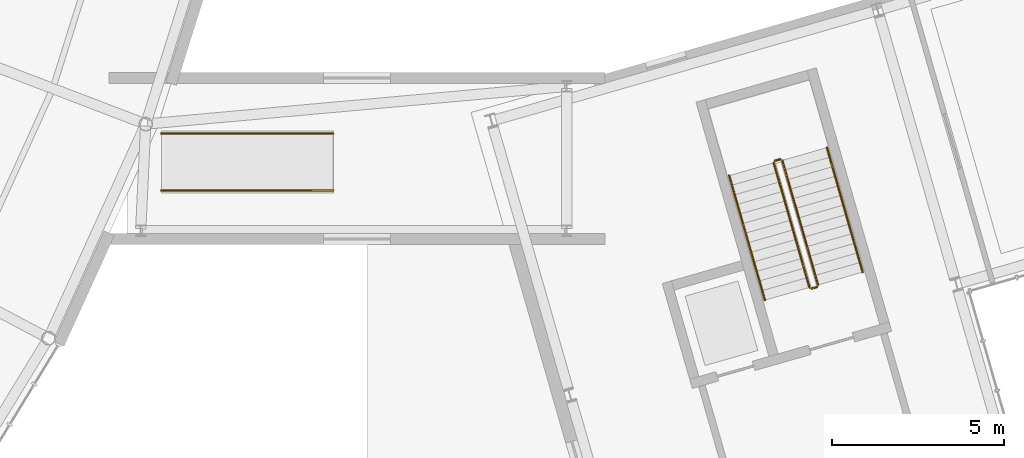
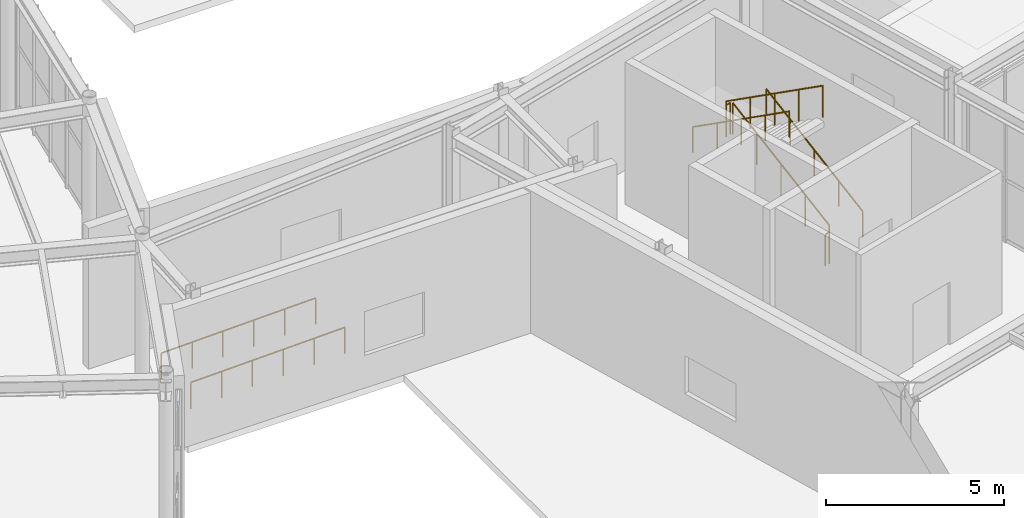
# One storey, part 88 of 97: 8 railings.
"""IFC4 building model written with IfcOpenShell, lengths in metres."""

from ifc_helpers import new_model, si_unit, direction, frame, origin, origin_2d, place, context, subcontext, project, spatial, circle, extrude, material, type_object, element, save


model = new_model("IFC4")

# Units and contexts
model_context = context("Model", 3, precision=1e-05, world=origin(), true_north=direction((0.0, 1.0)))
body_context = subcontext(model_context, "Body", "Model", "MODEL_VIEW")
ifc_project = project(units=[si_unit("LENGTHUNIT", "METRE"), si_unit("AREAUNIT", "SQUARE_METRE"), si_unit("VOLUMEUNIT", "CUBIC_METRE"), si_unit("PLANEANGLEUNIT", "RADIAN"), si_unit("MASSUNIT", "GRAM", prefix="KILO")], contexts=[model_context])

# Site, building, storey
site_placement = place(None, origin())
site = spatial("IfcSite", under=ifc_project, at=site_placement, CompositionType="ELEMENT")
building_placement = place(site_placement, origin())
building = spatial("IfcBuilding", under=site, at=building_placement, Name="Varnklinge Art Gallery", CompositionType="ELEMENT")
storey_placement = place(building_placement, origin())
storey = spatial("IfcBuildingStorey", under=building, at=storey_placement, Name="L00", CompositionType="ELEMENT", Elevation=0.0)

# Railings
ifc_material_1 = material(Name="Steel S355", Category="steel")
railing_type_1 = type_object("IfcRailingType", Name="GR-INT", PredefinedType="GUARDRAIL", material=ifc_material_1)
railing_1_placement = place(storey_placement, frame((127.11669921875, 30.222412109375, 0.18212890625)))
element("IfcRailing", 1, at=railing_1_placement, inside=storey, type_object=railing_type_1, Name="L00 ST-05 stair guard 1", PredefinedType="GUARDRAIL", context=body_context, shape_type="SweptSolid", body=[
    extrude(circle(Radius=0.02392578125, at=origin_2d()), frame((0.0, 0.0, 1.076171875), z_axis=(-0.233403082461, 0.814004218274, 0.531902372367), x_axis=(-0.961264471601, -0.275627675748, 0.0)), (0.0, 0.0, 1.0), 4.451904296875),
    extrude(circle(Radius=0.02099609375, at=origin_2d()), origin(), (0.0, 0.0, 1.0), 1.052001953125),
    extrude(circle(Radius=0.02099609375, at=origin_2d()), frame((-0.259765625, 0.906005859375, 0.592041015625)), (0.0, 0.0, 1.0), 1.052001953125),
    extrude(circle(Radius=0.02099609375, at=origin_2d()), frame((-0.51953125, 1.81201171875, 1.18408203125)), (0.0, 0.0, 1.0), 1.052001953125),
    extrude(circle(Radius=0.02099609375, at=origin_2d()), frame((-0.779296875, 2.7177734375, 1.77587890625)), (0.0, 0.0, 1.0), 1.052001953125),
    extrude(circle(Radius=0.02099609375, at=origin_2d()), frame((-1.0390625, 3.623779296875, 2.367919921875)), (0.0, 0.0, 1.0), 1.052001953125),
])
railing_2_placement = place(storey_placement, frame((126.015869140625, 33.880615234375, 2.550048828125)))
element("IfcRailing", 2, at=railing_2_placement, inside=storey, type_object=railing_type_1, Name="L00 ST-05 stair guard 2", PredefinedType="GUARDRAIL", context=body_context, shape_type="SweptSolid", body=[
    extrude(circle(Radius=0.02392578125, at=origin_2d()), frame((0.0, 0.0, 1.076171875), z_axis=(-0.96111992786, -0.276131280861, 0.0), x_axis=(0.276131280861, -0.96111992786, 0.0)), (0.0, 0.0, 1.0), 0.159912109375),
    extrude(circle(Radius=0.02099609375, at=origin_2d()), origin(), (0.0, 0.0, 1.0), 1.052001953125),
    extrude(circle(Radius=0.02099609375, at=origin_2d()), frame((-0.15380859375, -0.044189453125, 0.0)), (0.0, 0.0, 1.0), 1.052001953125),
])
railing_3_placement = place(storey_placement, frame((125.82763671875, 33.774658203125, 2.732177734375)))
element("IfcRailing", 3, at=railing_3_placement, inside=storey, type_object=railing_type_1, Name="L00 ST-05 stair guard 3", PredefinedType="GUARDRAIL", context=body_context, shape_type="SweptSolid", body=[
    extrude(circle(Radius=0.02392578125, at=origin_2d()), frame((0.0, 0.0, 1.076171875), z_axis=(0.233444513852, -0.814012300592, 0.531871820496), x_axis=(0.961252232853, 0.27567035538, 0.0)), (0.0, 0.0, 1.0), 4.4521484375),
    extrude(circle(Radius=0.02099609375, at=origin_2d()), origin(), (0.0, 0.0, 1.0), 1.052001953125),
    extrude(circle(Radius=0.02099609375, at=origin_2d()), frame((0.259765625, -0.906005859375, 0.592041015625)), (0.0, 0.0, 1.0), 1.052001953125),
    extrude(circle(Radius=0.02099609375, at=origin_2d()), frame((0.51953125, -1.81201171875, 1.18408203125)), (0.0, 0.0, 1.0), 1.052001953125),
    extrude(circle(Radius=0.02099609375, at=origin_2d()), frame((0.779541015625, -2.718017578125, 1.77587890625)), (0.0, 0.0, 1.0), 1.052001953125),
    extrude(circle(Radius=0.02099609375, at=origin_2d()), frame((1.039306640625, -3.6240234375, 2.367919921875)), (0.0, 0.0, 1.0), 1.052001953125),
])
railing_4_placement = place(storey_placement, frame((127.08251953125, 30.160400390625, 0.0)))
element("IfcRailing", 4, at=railing_4_placement, inside=storey, type_object=railing_type_1, Name="L00 ST-05 stair guard 4", PredefinedType="GUARDRAIL", context=body_context, shape_type="SweptSolid", body=[
    extrude(circle(Radius=0.02392578125, at=origin_2d()), frame((0.0, 0.0, 1.076171875), z_axis=(-0.961523947641, -0.274721127897, 0.0), x_axis=(0.274721127897, -0.961523947641, 0.0)), (0.0, 0.0, 1.0), 0.159912109375),
    extrude(circle(Radius=0.02099609375, at=origin_2d()), origin(), (0.0, 0.0, 1.0), 1.052001953125),
    extrude(circle(Radius=0.02099609375, at=origin_2d()), frame((-0.15380859375, -0.0439453125, 0.0)), (0.0, 0.0, 1.0), 1.052001953125),
])
ifc_material_2 = material(Name="Steel S355", Category="steel")
railing_type_2 = type_object("IfcRailingType", Name="HR-01", PredefinedType="HANDRAIL", material=ifc_material_2)
railing_5_placement = place(storey_placement, frame((128.41455078125, 30.594482421875, 0.18212890625)))
element("IfcRailing", 5, at=railing_5_placement, inside=storey, type_object=railing_type_2, Name="L00 ST-05 stair handrail 1", PredefinedType="HANDRAIL", context=body_context, shape_type="SweptSolid", body=[
    extrude(circle(Radius=0.02392578125, at=origin_2d()), frame((0.0, 0.0, 0.8759765625), z_axis=(-0.233444513852, 0.814012300592, 0.531871820496), x_axis=(-0.961252232853, -0.27567035538, 0.0)), (0.0, 0.0, 1.0), 4.4521484375),
    extrude(circle(Radius=0.02099609375, at=origin_2d()), origin(), (0.0, 0.0, 1.0), 0.851806640625),
    extrude(circle(Radius=0.02099609375, at=origin_2d()), frame((-0.259765625, 0.906005859375, 0.592041015625)), (0.0, 0.0, 1.0), 0.851806640625),
    extrude(circle(Radius=0.02099609375, at=origin_2d()), frame((-0.51953125, 1.81201171875, 1.18408203125)), (0.0, 0.0, 1.0), 0.851806640625),
    extrude(circle(Radius=0.02099609375, at=origin_2d()), frame((-0.779541015625, 2.718017578125, 1.77587890625)), (0.0, 0.0, 1.0), 0.851806640625),
    extrude(circle(Radius=0.02099609375, at=origin_2d()), frame((-1.039306640625, 3.6240234375, 2.367919921875)), (0.0, 0.0, 1.0), 0.851806640625),
])
railing_6_placement = place(storey_placement, frame((124.530029296875, 33.402587890625, 2.732177734375)))
element("IfcRailing", 6, at=railing_6_placement, inside=storey, type_object=railing_type_2, Name="L00 ST-05 stair handrail 2", PredefinedType="HANDRAIL", context=body_context, shape_type="SweptSolid", body=[
    extrude(circle(Radius=0.02392578125, at=origin_2d()), frame((0.0, 0.0, 0.8759765625), z_axis=(0.233392663516, -0.814022720214, 0.531878628628), x_axis=(0.961269391161, 0.275610517972, 0.0)), (0.0, 0.0, 1.0), 4.451904296875),
    extrude(circle(Radius=0.02099609375, at=origin_2d()), origin(), (0.0, 0.0, 1.0), 0.851806640625),
    extrude(circle(Radius=0.02099609375, at=origin_2d()), frame((0.259765625, -0.906005859375, 0.592041015625)), (0.0, 0.0, 1.0), 0.851806640625),
    extrude(circle(Radius=0.02099609375, at=origin_2d()), frame((0.51953125, -1.81201171875, 1.18408203125)), (0.0, 0.0, 1.0), 0.851806640625),
    extrude(circle(Radius=0.02099609375, at=origin_2d()), frame((0.779296875, -2.718017578125, 1.77587890625)), (0.0, 0.0, 1.0), 0.851806640625),
    extrude(circle(Radius=0.02099609375, at=origin_2d()), frame((1.0390625, -3.6240234375, 2.367919921875)), (0.0, 0.0, 1.0), 0.851806640625),
])
for number, where, name in (
    (7, (108.0, 32.971923828125, 0.0), "L00 Studios Courtyard Link Accessible Ramp Handrail L"),
    (8, (108.0, 34.6279296875, 0.0), "L00 Studios Courtyard Link Accessible Ramp Handrail R"),
):
    element("IfcRailing", number, at=place(storey_placement, frame(where)), inside=storey, type_object=railing_type_2, Name=name, PredefinedType="HANDRAIL", context=body_context, shape_type="SweptSolid", body=[
        extrude(circle(Radius=0.02392578125, at=origin_2d()), frame((0.0, 0.0, 0.89599609375), z_axis=(0.999608830971, 0.0, 0.027967571296), x_axis=(0.0, 1.0, 0.0)), (0.0, 0.0, 1.0), 5.001953125),
        extrude(circle(Radius=0.02099609375, at=origin_2d()), origin(), (0.0, 0.0, 1.0), 0.871826171875),
        extrude(circle(Radius=0.02099609375, at=origin_2d()), frame((1.0, 0.0, 0.028076171875)), (0.0, 0.0, 1.0), 0.871826171875),
        extrude(circle(Radius=0.02099609375, at=origin_2d()), frame((2.0, 0.0, 0.055908203125)), (0.0, 0.0, 1.0), 0.871826171875),
        extrude(circle(Radius=0.02099609375, at=origin_2d()), frame((3.0, 0.0, 0.083984375)), (0.0, 0.0, 1.0), 0.871826171875),
        extrude(circle(Radius=0.02099609375, at=origin_2d()), frame((4.0, 0.0, 0.11181640625)), (0.0, 0.0, 1.0), 0.871826171875),
        extrude(circle(Radius=0.02099609375, at=origin_2d()), frame((5.0, 0.0, 0.139892578125)), (0.0, 0.0, 1.0), 0.871826171875),
    ])

save(model, "model.ifc")
